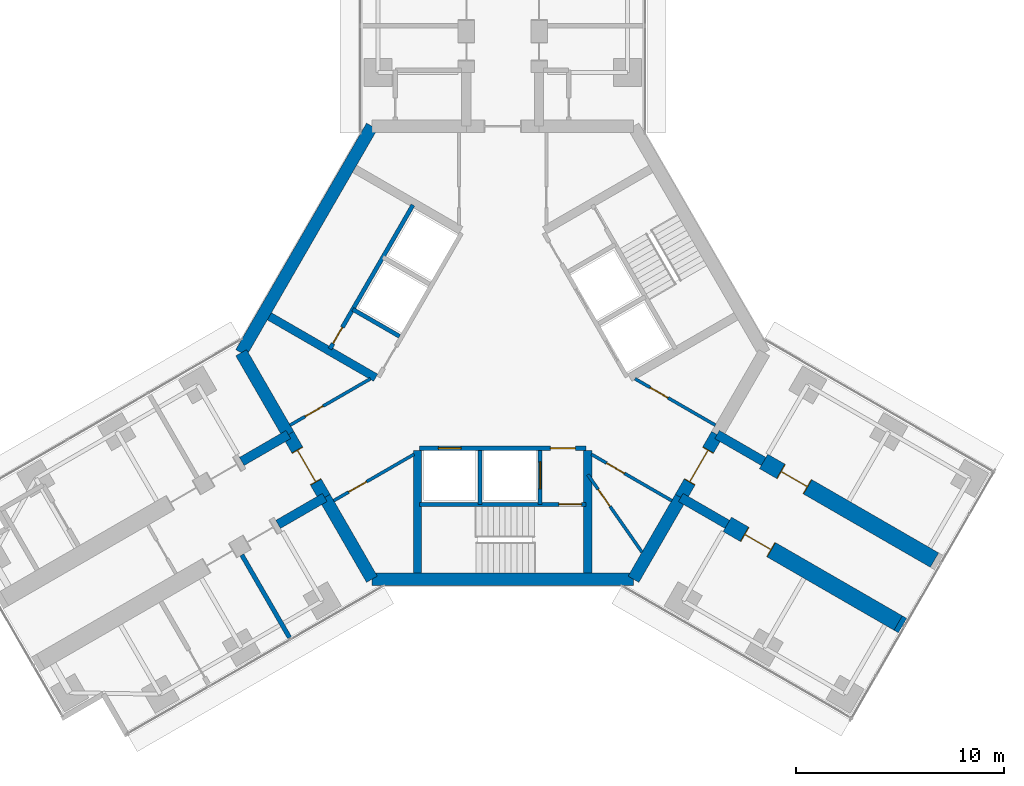
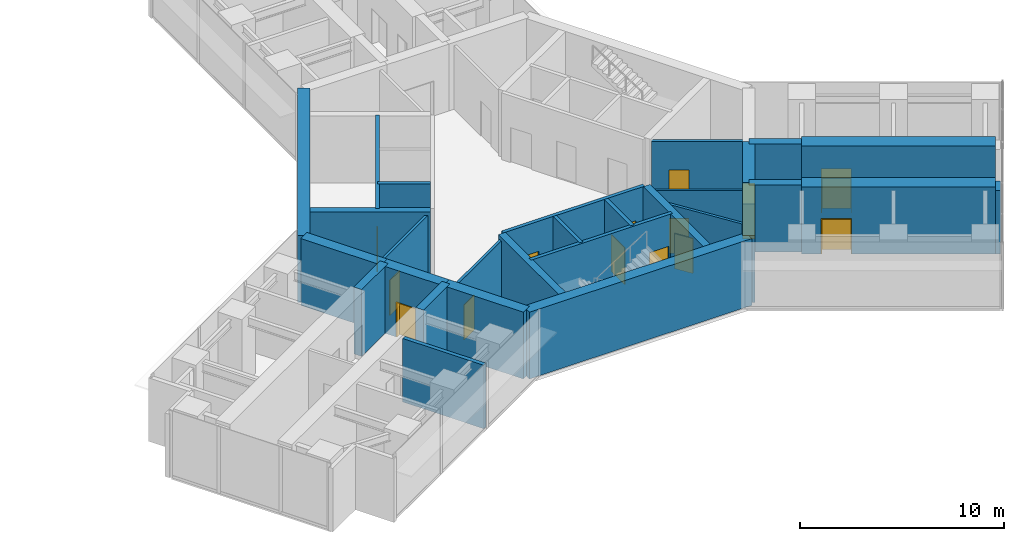
# One storey, part 18 of 21: 29 walls, 14 doors, 14 openings.
"""IFC4 building model written with IfcOpenShell, lengths in metres."""

import ifcopenshell
import ifcopenshell.guid

model = None  # the IFC model being written
_history = None  # IfcOwnerHistory: only IFC2X3 demands one
_inside = {}  # id of a spatial element -> (the spatial element, [elements in it])
_under = {}  # id of a project, library or spatial element -> (it, [spatial elements below it])
_declared = {}  # id of a project -> (the project, [libraries it declares])
_typed = {}  # id of a type object -> (the type object, [elements of that type])
_made_of = {}  # id of a material, layer set ... -> (it, [elements and type objects made of it])


def new_model(schema):
    """Start an empty IFC model of exactly this schema.

    Asked for "IFC4X3", IfcOpenShell would pick the latest addendum, in which some entities
    have other attributes; the version numbers below select the first issue.
    IFC2X3 requires an IfcOwnerHistory on every rooted entity: one is made here for all.
    """
    global model, _history
    if schema == "IFC4X3":
        model = ifcopenshell.file(schema_version=(4, 3, 0, 0))
    else:
        model = ifcopenshell.file(schema=schema)
    _inside.clear()
    _under.clear()
    _declared.clear()
    _typed.clear()
    _made_of.clear()
    _history = None
    if model.schema == "IFC2X3":
        org = make("IfcOrganization", Name="unknown")
        user = make(
            "IfcPersonAndOrganization",
            ThePerson=make("IfcPerson", FamilyName="unknown"),
            TheOrganization=org,
        )
        app = make(
            "IfcApplication",
            ApplicationDeveloper=org,
            Version="unknown",
            ApplicationFullName="unknown",
            ApplicationIdentifier="unknown",
        )
        _history = make(
            "IfcOwnerHistory",
            OwningUser=user,
            OwningApplication=app,
            ChangeAction="ADDED",
            CreationDate=0,
        )
    return model


def make(cls, **values):
    """One entity of the class cls with the attributes given. An attribute that is None is left unset."""
    return model.create_entity(
        cls, **{name: value for name, value in values.items() if value is not None}
    )


def rooted(cls, **values):
    """An entity with a GlobalId (a new one), such as an element, a storey or a relation."""
    return make(cls, GlobalId=ifcopenshell.guid.new(), OwnerHistory=_history, **values)


def si_unit(unit_type, name, prefix=None):
    """IfcSIUnit, for example si_unit("LENGTHUNIT", "METRE", prefix="MILLI")."""
    return make("IfcSIUnit", UnitType=unit_type, Prefix=prefix, Name=name)


def assignment(units):
    """IfcUnitAssignment: the units of a project."""
    return None if units is None else make("IfcUnitAssignment", Units=units)


def point(xyz):
    """IfcCartesianPoint."""
    return None if xyz is None else make("IfcCartesianPoint", Coordinates=xyz)


def direction(xyz):
    """IfcDirection."""
    return None if xyz is None else make("IfcDirection", DirectionRatios=xyz)


def frame(location, z_axis=None, x_axis=None):
    """IfcAxis2Placement3D, a coordinate frame: its origin and axes. An axis left out is left unset."""
    return make(
        "IfcAxis2Placement3D",
        Location=point(location),
        Axis=direction(z_axis),
        RefDirection=direction(x_axis),
    )


def frame_2d(location, x_axis=None):
    """IfcAxis2Placement2D, a coordinate frame in the plane: its origin and x axis."""
    return make(
        "IfcAxis2Placement2D", Location=point(location), RefDirection=direction(x_axis)
    )


def origin():
    """The frame at (0, 0, 0) with its axes left unset."""
    return frame((0.0, 0.0, 0.0))


def place(relative_to, where):
    """IfcLocalPlacement: puts the frame where relative to a parent placement (None: the world)."""
    return make(
        "IfcLocalPlacement", PlacementRelTo=relative_to, RelativePlacement=where
    )


def context(
    kind, dimensions, precision=None, world=None, true_north=None, identifier=None
):
    """IfcGeometricRepresentationContext, for example the 3D "Model" context."""
    return make(
        "IfcGeometricRepresentationContext",
        ContextIdentifier=identifier,
        ContextType=kind,
        CoordinateSpaceDimension=dimensions,
        Precision=precision,
        WorldCoordinateSystem=world,
        TrueNorth=true_north,
    )


def subcontext(parent, identifier, kind, view, scale=None):
    """IfcGeometricRepresentationSubContext, for example "Body" below "Model"."""
    return make(
        "IfcGeometricRepresentationSubContext",
        ContextIdentifier=identifier,
        ContextType=kind,
        ParentContext=parent,
        TargetScale=scale,
        TargetView=view,
    )


def project(units=None, contexts=None):
    """IfcProject with its units and contexts."""
    return rooted(
        "IfcProject",
        Name="project",
        RepresentationContexts=contexts,
        UnitsInContext=assignment(units),
    )


def spatial(cls, under=None, at=None, **own):
    """A site, building, storey or space (cls), placed at a placement, below another one or the project."""
    s = rooted(cls, ObjectPlacement=at, **own)
    if under is not None:
        _under.setdefault(under.id(), (under, []))[1].append(s)
    return s


def profile(cls, at=None, kind="AREA", **sizes):
    """A parametric profile (cls). Its sizes go by their IFC names, for example OverallWidth=200.0."""
    return make(cls, ProfileType=kind, Position=at, **sizes)


def rectangle(**sizes):
    """IfcRectangleProfileDef."""
    return profile("IfcRectangleProfileDef", **sizes)


def extrude(swept, where, along, depth):
    """IfcExtrudedAreaSolid: the profile swept, set in the frame where, extruded along a direction by depth."""
    return make(
        "IfcExtrudedAreaSolid",
        SweptArea=swept,
        Position=where,
        ExtrudedDirection=direction(along),
        Depth=depth,
    )


def shape(context_of_items, identifier, shape_type, items):
    """IfcShapeRepresentation: the items that make up one representation, for example the "Body"."""
    return make(
        "IfcShapeRepresentation",
        ContextOfItems=context_of_items,
        RepresentationIdentifier=identifier,
        RepresentationType=shape_type,
        Items=items,
    )


def material(Name=None, Category=None):
    """IfcMaterial."""
    return make("IfcMaterial", Name=Name, Category=Category)


def layer(
    of_material, thickness, ventilated=None, Name=None, Category=None, Priority=None
):
    """IfcMaterialLayer: one layer of a wall or slab, of a material (None: an air gap)."""
    return make(
        "IfcMaterialLayer",
        Material=of_material,
        LayerThickness=thickness,
        IsVentilated=ventilated,
        Name=Name,
        Category=Category,
        Priority=Priority,
    )


def layer_set(layers, Name=None):
    """IfcMaterialLayerSet."""
    return make("IfcMaterialLayerSet", MaterialLayers=layers, LayerSetName=Name)


def made_of(thing, what):
    """Note that an element or type object is made of a material, layer set ...; save() writes the relation."""
    if what is not None:
        _made_of.setdefault(what.id(), (what, []))[1].append(thing)
    return thing


def type_object(cls, material=None, **own):
    """A type object (cls), such as IfcWallType, which elements share."""
    return made_of(rooted(cls, **own), material)


def element(
    cls,
    number,
    at=None,
    inside=None,
    cuts=None,
    type_object=None,
    material=None,
    context=None,
    identifier="Body",
    shape_type=None,
    held_by="IfcProductDefinitionShape",
    body=None,
    shapes=None,
    **own,
):
    """One element of the class cls, such as IfcWall. Its Tag is "e" and its number.

    at: its placement. inside: the storey or other place that contains it. cuts: it is an
    opening in that element (IfcRelVoidsElement). A single representation is given by context,
    identifier, shape_type and body (its items); several are given by shapes. held_by: the class
    of the entity that holds the representations. save() writes the other relations.
    """
    e = rooted(cls, Tag="e%d" % number, ObjectPlacement=at, **own)
    if body is not None:
        shapes = [shape(context, identifier, shape_type, body)]
    if shapes is not None:
        e.Representation = make(held_by, Representations=shapes)
    if inside is not None:
        _inside.setdefault(inside.id(), (inside, []))[1].append(e)
    if cuts is not None:
        rooted(
            "IfcRelVoidsElement", RelatingBuildingElement=cuts, RelatedOpeningElement=e
        )
    if type_object is not None:
        _typed.setdefault(type_object.id(), (type_object, []))[1].append(e)
    return made_of(e, material)


def fill(opening, filler):
    """IfcRelFillsElement: the door or window that sits in an opening."""
    return rooted(
        "IfcRelFillsElement",
        RelatingOpeningElement=opening,
        RelatedBuildingElement=filler,
    )


def aggregate(whole, parts):
    """IfcRelAggregates: a whole, such as a stair, and the parts it consists of."""
    return rooted("IfcRelAggregates", RelatingObject=whole, RelatedObjects=parts)


def save(model, path):
    """Write the relations noted so far, then the file.

    IfcRelAggregates (storeys below a building ...), IfcRelContainedInSpatialStructure (elements
    in a storey), IfcRelDefinesByType, IfcRelAssociatesMaterial and IfcRelDeclares: one each for
    every whole, place, type object, material and project.
    """
    for whole, parts in _under.values():
        aggregate(whole, parts)
    for where, things in _inside.values():
        rooted(
            "IfcRelContainedInSpatialStructure",
            RelatedElements=things,
            RelatingStructure=where,
        )
    for kind, things in _typed.values():
        rooted("IfcRelDefinesByType", RelatedObjects=things, RelatingType=kind)
    for what, things in _made_of.values():
        rooted("IfcRelAssociatesMaterial", RelatedObjects=things, RelatingMaterial=what)
    for by, libraries in _declared.values():
        rooted("IfcRelDeclares", RelatingContext=by, RelatedDefinitions=libraries)
    model.write(path)


model = new_model("IFC4")

# Units and contexts
model_context = context("Model", 3, precision=1e-05, world=origin(), true_north=direction((0.0, 1.0)))
body_context = subcontext(model_context, "Body", "Model", "MODEL_VIEW")
ifc_project = project(units=[si_unit("LENGTHUNIT", "METRE"), si_unit("AREAUNIT", "SQUARE_METRE"), si_unit("VOLUMEUNIT", "CUBIC_METRE"), si_unit("PLANEANGLEUNIT", "RADIAN"), si_unit("MASSUNIT", "GRAM", prefix="KILO")], contexts=[model_context])

# Site, building, storey
site_placement = place(None, origin())
site = spatial("IfcSite", under=ifc_project, at=site_placement, CompositionType="ELEMENT")
building_placement = place(site_placement, origin())
building = spatial("IfcBuilding", under=site, at=building_placement, Name="Upepo Twin Towers", CompositionType="ELEMENT")
storey_placement = place(building_placement, frame((0.0, 0.0, 117.5)))
storey = spatial("IfcBuildingStorey", under=building, at=storey_placement, Name="L28", CompositionType="ELEMENT", Elevation=117.5)

# Walls
ifc_material_1 = material(Name="Concrete blockwork, plastered both faces", Category="masonry")
ifc_layer_1 = layer(ifc_material_1, 0.215087890625)
ifc_layer_set_1 = layer_set([ifc_layer_1], Name="Blockwork partition 215")
wall_type_1 = type_object("IfcWallType", Name="Blockwork partition 215", PredefinedType="PARTITIONING", material=ifc_layer_set_1)
wall_1_placement = place(storey_placement, frame((45.93505859375, -27.737060546875, 0.0), z_axis=(0.0, 0.0, 1.0), x_axis=(0.500014953309, -0.866016770315, 0.0)))
element("IfcWall", 1, at=wall_1_placement, inside=storey, type_object=wall_type_1, Name="T2 partition BL at 15.75", PredefinedType="PARTITIONING", context=body_context, shape_type="SweptSolid", body=[
    extrude(rectangle(XDim=4.599853515625, YDim=0.215087890625, at=frame_2d((2.2998046875, 0.0))), origin(), (0.0, 0.0, 1.0), 3.800048828125),
])
ifc_material_2 = material(Name="Dense concrete blockwork", Category="masonry")
ifc_layer_2 = layer(ifc_material_2, 0.800048828125)
ifc_layer_set_2 = layer_set([ifc_layer_2], Name="Buttress closer 800, blockwork with fire-stopping to the curtain wall")
wall_type_2 = type_object("IfcWallType", Name="Buttress closer 800, blockwork with fire-stopping to the curtain wall", PredefinedType="PARTITIONING", material=ifc_layer_set_2)
wall_2_placement = place(storey_placement, frame((77.543701171875, -31.015625, 0.0), z_axis=(0.0, 0.0, 1.0), x_axis=(0.865827443207, -0.500342721131, 0.0)))
element("IfcWall", 2, at=wall_2_placement, inside=storey, type_object=wall_type_2, Name="T2 L28 wing C buttress closer R", PredefinedType="PARTITIONING", context=body_context, shape_type="SweptSolid", body=[
    extrude(rectangle(XDim=0.249755859375, YDim=0.800048828125, at=frame_2d((0.125, 0.0))), origin(), (0.0, 0.0, 1.0), 3.800048828125),
])
ifc_material_3 = material(Name="Concrete C60/75", Category="concrete")
ifc_layer_3 = layer(ifc_material_3, 0.449951171875)
ifc_layer_set_3 = layer_set([ifc_layer_3], Name="Concrete C60/75")
wall_type_3 = type_object("IfcWallType", Name="Buttress wall 450 RC", PredefinedType="SHEAR", material=ifc_layer_set_3)
for number, where, z_axis, x_axis, name in (
    (3, (49.92822265625, -24.9697265625, 0.0), (0.0, 0.0, 1.0), (-0.866031863473, -0.499988811324, 0.0), "T2 wing B buttress wall L"),
    (4, (48.17822265625, -21.938720703125, 0.0), (0.0, 0.0, 1.0), (-0.866072649678, -0.499918158782, 0.0), "T2 wing B buttress wall R"),
    (5, (68.82177734375, -21.938720703125, 0.0), (0.0, 0.0, 1.0), (0.866072649678, -0.499918158782, 0.0), "T2 wing C buttress wall L"),
    (6, (67.07177734375, -24.9697265625, 0.0), (0.0, 0.0, 1.0), (0.866031863473, -0.499988811324, 0.0), "T2 wing C buttress wall R"),
):
    element("IfcWall", number, at=place(storey_placement, frame(where, z_axis=z_axis, x_axis=x_axis)), inside=storey, type_object=wall_type_3, Name=name, PredefinedType="SHEAR", context=body_context, shape_type="SweptSolid", body=[
        extrude(rectangle(XDim=2.591796875, YDim=0.449951171875, at=frame_2d((1.2958984375, 0.0))), origin(), (0.0, 0.0, 1.0), 4.0),
    ])

# Wall, opening, door
ifc_material_4 = material(Name="Concrete C60/75", Category="concrete")
ifc_layer_4 = layer(ifc_material_4, 0.800048828125)
ifc_layer_set_4 = layer_set([ifc_layer_4], Name="Concrete C60/75")
wall_type_4 = type_object("IfcWallType", Name="Buttress wall 800 RC", PredefinedType="SHEAR", material=ifc_layer_set_4)
wall_3_placement = place(storey_placement, frame((71.06640625, -23.234375, 0.0), z_axis=(0.0, 0.0, 1.0), x_axis=(0.86602681393, -0.499997557548, 0.0)))
wall_3 = element("IfcWall", 7, at=wall_3_placement, inside=storey, type_object=wall_type_4, Name="T2 wing C buttress wall L part 2", PredefinedType="SHEAR", context=body_context, shape_type="SweptSolid", body=[
    extrude(rectangle(XDim=9.5, YDim=0.800048828125, at=frame_2d((4.75, 0.0))), origin(), (0.0, 0.0, 1.0), 4.0),
])
opening_1_placement = place(wall_3_placement, frame((0.949951171875, 0.0, 0.0)))
opening_1 = element("IfcOpeningElement", 8, at=opening_1_placement, cuts=wall_3, Name="Opening D13", PredefinedType="OPENING", context=body_context, shape_type="SweptSolid", body=[
    extrude(rectangle(XDim=1.5, YDim=2.10009765625, at=frame_2d((0.75, 1.050048828125))), frame((0.0, 0.409912109375, 0.0), z_axis=(0.0, -1.0, 0.0), x_axis=(1.0, 0.0, 0.0)), (0.0, 0.0, 1.0), 0.820068359375),
])
ifc_material_5 = material(Name="Timber doorset", Category="wood")
door_type_1 = type_object("IfcDoorType", Name="Double door 1500 FD30", OperationType="DOUBLE_DOOR_SINGLE_SWING", PredefinedType="DOOR", material=ifc_material_5)
door_1_placement = place(opening_1_placement, origin())
door_1 = element("IfcDoor", 9, at=door_1_placement, inside=storey, type_object=door_type_1, Name="T2 L28 tutorial room door", OperationType="DOUBLE_DOOR_SINGLE_SWING", OverallHeight=2.10009765625, OverallWidth=1.5, PredefinedType="DOOR", context=body_context, shape_type="SweptSolid", body=[
    extrude(rectangle(XDim=1.42, YDim=2.06009765625, at=frame_2d((0.75, 1.030029296875))), frame((0.0, 0.02490234375, 0.0), z_axis=(0.0, -1.0, 0.0), x_axis=(1.0, 0.0, 0.0)), (0.0, 0.0, 1.0), 0.050048828125),
    extrude(rectangle(XDim=0.04, YDim=2.10009765625, at=frame_2d((0.02001953125, 1.050048828125))), frame((0.0, 0.39990234375, 0.0), z_axis=(0.0, -1.0, 0.0), x_axis=(1.0, 0.0, 0.0)), (0.0, 0.0, 1.0), 0.799560546875),
    extrude(rectangle(XDim=0.04, YDim=2.10009765625, at=frame_2d((1.47998046875, 1.050048828125))), frame((0.0, 0.39990234375, 0.0), z_axis=(0.0, -1.0, 0.0), x_axis=(1.0, 0.0, 0.0)), (0.0, 0.0, 1.0), 0.799560546875),
    extrude(rectangle(XDim=1.42, YDim=0.04, at=frame_2d((0.75, 2.080078125))), frame((0.0, 0.39990234375, 0.0), z_axis=(0.0, -1.0, 0.0), x_axis=(1.0, 0.0, 0.0)), (0.0, 0.0, 1.0), 0.799560546875),
])
fill(opening_1, door_1)

wall_4_placement = place(storey_placement, frame((69.31640625, -26.265625, 0.0), z_axis=(0.0, 0.0, 1.0), x_axis=(0.86602681393, -0.499997557548, 0.0)))
wall_4 = element("IfcWall", 10, at=wall_4_placement, inside=storey, type_object=wall_type_4, Name="T2 wing C buttress wall R part 2", PredefinedType="SHEAR", context=body_context, shape_type="SweptSolid", body=[
    extrude(rectangle(XDim=9.5, YDim=0.800048828125, at=frame_2d((4.75, 0.0))), origin(), (0.0, 0.0, 1.0), 4.0),
])
opening_2_placement = place(wall_4_placement, frame((0.949951171875, 0.0, 0.0)))
opening_2 = element("IfcOpeningElement", 11, at=opening_2_placement, cuts=wall_4, Name="Opening D13", PredefinedType="OPENING", context=body_context, shape_type="SweptSolid", body=[
    extrude(rectangle(XDim=1.5, YDim=2.10009765625, at=frame_2d((0.75, 1.050048828125))), frame((0.0, 0.409912109375, 0.0), z_axis=(0.0, -1.0, 0.0), x_axis=(1.0, 0.0, 0.0)), (0.0, 0.0, 1.0), 0.820068359375),
])
door_2_placement = place(opening_2_placement, origin())
door_2 = element("IfcDoor", 12, at=door_2_placement, inside=storey, type_object=door_type_1, Name="T2 L28 tutorial room door", OperationType="DOUBLE_DOOR_SINGLE_SWING", OverallHeight=2.10009765625, OverallWidth=1.5, PredefinedType="DOOR", context=body_context, shape_type="SweptSolid", body=[
    extrude(rectangle(XDim=1.42, YDim=2.06009765625, at=frame_2d((0.75, 1.030029296875))), frame((0.0, 0.02490234375, 0.0), z_axis=(0.0, -1.0, 0.0), x_axis=(1.0, 0.0, 0.0)), (0.0, 0.0, 1.0), 0.050048828125),
    extrude(rectangle(XDim=0.04, YDim=2.10009765625, at=frame_2d((0.02001953125, 1.050048828125))), frame((0.0, 0.39990234375, 0.0), z_axis=(0.0, -1.0, 0.0), x_axis=(1.0, 0.0, 0.0)), (0.0, 0.0, 1.0), 0.799560546875),
    extrude(rectangle(XDim=0.04, YDim=2.10009765625, at=frame_2d((1.47998046875, 1.050048828125))), frame((0.0, 0.39990234375, 0.0), z_axis=(0.0, -1.0, 0.0), x_axis=(1.0, 0.0, 0.0)), (0.0, 0.0, 1.0), 0.799560546875),
    extrude(rectangle(XDim=1.42, YDim=0.04, at=frame_2d((0.75, 2.080078125))), frame((0.0, 0.39990234375, 0.0), z_axis=(0.0, -1.0, 0.0), x_axis=(1.0, 0.0, 0.0)), (0.0, 0.0, 1.0), 0.799560546875),
])
fill(opening_2, door_2)

# Walls
ifc_material_6 = material(Name="Concrete C60/75", Category="concrete")
ifc_layer_5 = layer(ifc_material_6, 0.60009765625)
ifc_layer_set_5 = layer_set([ifc_layer_5], Name="Concrete C60/75")
wall_type_5 = type_object("IfcWallType", Name="Core wall 600 RC", PredefinedType="SHEAR", material=ifc_layer_set_5)
wall_5_placement = place(storey_placement, frame((52.2021484375, -7.091552734375, 0.0), z_axis=(0.0, 0.0, 1.0), x_axis=(-0.500005998175, -0.866021940709, 0.0)))
element("IfcWall", 13, at=wall_5_placement, inside=storey, type_object=wall_type_5, Name="T2 core wall 060", PredefinedType="SHEAR", context=body_context, shape_type="SweptSolid", body=[
    extrude(rectangle(XDim=12.595947265625, YDim=0.60009765625, at=frame_2d((6.2978515625, 0.0))), origin(), (0.0, 0.0, 1.0), 4.0),
])
wall_6_placement = place(storey_placement, frame((45.904052734375, -18.0, 0.0), z_axis=(0.0, 0.0, 1.0), x_axis=(0.500024481964, -0.866011268655, 0.0)))
element("IfcWall", 14, at=wall_6_placement, inside=storey, type_object=wall_type_5, Name="T2 core wall 120 R", PredefinedType="SHEAR", context=body_context, shape_type="SweptSolid", body=[
    extrude(rectangle(XDim=4.548095703125, YDim=0.60009765625, at=frame_2d((2.27392578125, 0.0))), origin(), (0.0, 0.0, 1.0), 4.0),
])

# Wall, opening, door
wall_7_placement = place(storey_placement, frame((48.17822265625, -21.938720703125, 0.0), z_axis=(0.0, 0.0, 1.0), x_axis=(0.500010275428, -0.866019471182, 0.0)))
wall_7 = element("IfcWall", 15, at=wall_7_placement, inside=storey, type_object=wall_type_5, Name="T2 core wall 120", PredefinedType="SHEAR", context=body_context, shape_type="SweptSolid", body=[
    extrude(rectangle(XDim=3.5, YDim=0.60009765625, at=frame_2d((1.75, 0.0))), origin(), (0.0, 0.0, 1.0), 4.0),
])
opening_3_placement = place(wall_7_placement, frame((0.85009765625, 0.0, 0.0)))
opening_3 = element("IfcOpeningElement", 16, at=opening_3_placement, cuts=wall_7, Name="Opening D2", PredefinedType="OPENING", context=body_context, shape_type="SweptSolid", body=[
    extrude(rectangle(XDim=1.800048828125, YDim=2.10009765625, at=frame_2d((0.89990234375, 1.050048828125))), frame((0.0, 0.31005859375, 0.0), z_axis=(0.0, -1.0, 0.0), x_axis=(1.0, 0.0, 0.0)), (0.0, 0.0, 1.0), 0.6201171875),
])
ifc_material_7 = material(Name="Timber doorset", Category="wood")
door_type_2 = type_object("IfcDoorType", Name="Corridor double door 1800 FD60", OperationType="DOUBLE_DOOR_DOUBLE_SWING", PredefinedType="DOOR", material=ifc_material_7)
door_3_placement = place(opening_3_placement, origin())
door_3 = element("IfcDoor", 17, at=door_3_placement, inside=storey, type_object=door_type_2, Name="T2 L28 wing B corridor door", OperationType="DOUBLE_DOOR_DOUBLE_SWING", OverallHeight=2.10009765625, OverallWidth=1.800048828125, PredefinedType="DOOR", context=body_context, shape_type="SweptSolid", body=[
    extrude(rectangle(XDim=1.720048828125, YDim=2.06009765625, at=frame_2d((0.89990234375, 1.030029296875))), frame((0.0, 0.02490234375, 0.0), z_axis=(0.0, -1.0, 0.0), x_axis=(1.0, 0.0, 0.0)), (0.0, 0.0, 1.0), 0.050048828125),
    extrude(rectangle(XDim=0.04, YDim=2.10009765625, at=frame_2d((0.02001953125, 1.050048828125))), frame((0.0, 0.2998046875, 0.0), z_axis=(0.0, -1.0, 0.0), x_axis=(1.0, 0.0, 0.0)), (0.0, 0.0, 1.0), 0.599609375),
    extrude(rectangle(XDim=0.04, YDim=2.10009765625, at=frame_2d((1.780029296875, 1.050048828125))), frame((0.0, 0.2998046875, 0.0), z_axis=(0.0, -1.0, 0.0), x_axis=(1.0, 0.0, 0.0)), (0.0, 0.0, 1.0), 0.599609375),
    extrude(rectangle(XDim=1.720048828125, YDim=0.04, at=frame_2d((0.89990234375, 2.080078125))), frame((0.0, 0.2998046875, 0.0), z_axis=(0.0, -1.0, 0.0), x_axis=(1.0, 0.0, 0.0)), (0.0, 0.0, 1.0), 0.599609375),
])
fill(opening_3, door_3)

# Walls
wall_8_placement = place(storey_placement, frame((49.92822265625, -24.9697265625, 0.0), z_axis=(0.0, 0.0, 1.0), x_axis=(0.499984222037, -0.866034513004, 0.0)))
element("IfcWall", 18, at=wall_8_placement, inside=storey, type_object=wall_type_5, Name="T2 core wall 120 L", PredefinedType="SHEAR", context=body_context, shape_type="SweptSolid", body=[
    extrude(rectangle(XDim=4.548095703125, YDim=0.60009765625, at=frame_2d((2.27392578125, 0.0))), origin(), (0.0, 0.0, 1.0), 4.0),
])
wall_9_placement = place(storey_placement, frame((52.2021484375, -28.908447265625, 0.0), z_axis=(0.0, 0.0, 1.0), x_axis=(1.0, 0.0, 0.0)))
element("IfcWall", 19, at=wall_9_placement, inside=storey, type_object=wall_type_5, Name="T2 core wall 180", PredefinedType="SHEAR", context=body_context, shape_type="SweptSolid", body=[
    extrude(rectangle(XDim=12.595703125, YDim=0.60009765625, at=frame_2d((6.2978515625, 0.0))), origin(), (0.0, 0.0, 1.0), 4.0),
])
wall_10_placement = place(storey_placement, frame((64.7978515625, -28.908447265625, 0.0), z_axis=(0.0, 0.0, 1.0), x_axis=(0.499984222037, 0.866034513004, 0.0)))
element("IfcWall", 20, at=wall_10_placement, inside=storey, type_object=wall_type_5, Name="T2 core wall 240 R", PredefinedType="SHEAR", context=body_context, shape_type="SweptSolid", body=[
    extrude(rectangle(XDim=4.548095703125, YDim=0.60009765625, at=frame_2d((2.27392578125, 0.0))), origin(), (0.0, 0.0, 1.0), 4.0),
])

# Wall, opening, door
wall_11_placement = place(storey_placement, frame((67.07177734375, -24.9697265625, 0.0), z_axis=(0.0, 0.0, 1.0), x_axis=(0.500010275428, 0.866019471182, 0.0)))
wall_11 = element("IfcWall", 21, at=wall_11_placement, inside=storey, type_object=wall_type_5, Name="T2 core wall 240", PredefinedType="SHEAR", context=body_context, shape_type="SweptSolid", body=[
    extrude(rectangle(XDim=3.5, YDim=0.60009765625, at=frame_2d((1.75, 0.0))), origin(), (0.0, 0.0, 1.0), 4.0),
])
opening_4_placement = place(wall_11_placement, frame((0.85009765625, 0.0, 0.0)))
opening_4 = element("IfcOpeningElement", 22, at=opening_4_placement, cuts=wall_11, Name="Opening D2", PredefinedType="OPENING", context=body_context, shape_type="SweptSolid", body=[
    extrude(rectangle(XDim=1.800048828125, YDim=2.10009765625, at=frame_2d((0.89990234375, 1.050048828125))), frame((0.0, 0.31005859375, 0.0), z_axis=(0.0, -1.0, 0.0), x_axis=(1.0, 0.0, 0.0)), (0.0, 0.0, 1.0), 0.6201171875),
])
door_4_placement = place(opening_4_placement, origin())
door_4 = element("IfcDoor", 23, at=door_4_placement, inside=storey, type_object=door_type_2, Name="T2 L28 wing C corridor door", OperationType="DOUBLE_DOOR_DOUBLE_SWING", OverallHeight=2.10009765625, OverallWidth=1.800048828125, PredefinedType="DOOR", context=body_context, shape_type="SweptSolid", body=[
    extrude(rectangle(XDim=1.720048828125, YDim=2.06009765625, at=frame_2d((0.89990234375, 1.030029296875))), frame((0.0, 0.02490234375, 0.0), z_axis=(0.0, -1.0, 0.0), x_axis=(1.0, 0.0, 0.0)), (0.0, 0.0, 1.0), 0.050048828125),
    extrude(rectangle(XDim=0.04, YDim=2.10009765625, at=frame_2d((0.02001953125, 1.050048828125))), frame((0.0, 0.2998046875, 0.0), z_axis=(0.0, -1.0, 0.0), x_axis=(1.0, 0.0, 0.0)), (0.0, 0.0, 1.0), 0.599609375),
    extrude(rectangle(XDim=0.04, YDim=2.10009765625, at=frame_2d((1.780029296875, 1.050048828125))), frame((0.0, 0.2998046875, 0.0), z_axis=(0.0, -1.0, 0.0), x_axis=(1.0, 0.0, 0.0)), (0.0, 0.0, 1.0), 0.599609375),
    extrude(rectangle(XDim=1.720048828125, YDim=0.04, at=frame_2d((0.89990234375, 2.080078125))), frame((0.0, 0.2998046875, 0.0), z_axis=(0.0, -1.0, 0.0), x_axis=(1.0, 0.0, 0.0)), (0.0, 0.0, 1.0), 0.599609375),
])
fill(opening_4, door_4)

# Wall
ifc_material_8 = material(Name="Concrete C40/50", Category="concrete")
ifc_layer_6 = layer(ifc_material_8, 0.199951171875)
ifc_layer_set_6 = layer_set([ifc_layer_6], Name="Concrete C40/50")
wall_type_6 = type_object("IfcWallType", Name="Shaft wall 200 RC", PredefinedType="SHEAR", material=ifc_layer_set_6)
wall_12_placement = place(storey_placement, frame((53.52978515625, -17.208740234375, 0.0), z_axis=(0.0, 0.0, 1.0), x_axis=(-0.866062058628, 0.499936506574, 0.0)))
element("IfcWall", 24, at=wall_12_placement, inside=storey, type_object=wall_type_6, Name="T2 core W60 lobby wall", PredefinedType="SHEAR", context=body_context, shape_type="SweptSolid", body=[
    extrude(rectangle(XDim=2.599853515625, YDim=0.199951171875, at=frame_2d((1.2998046875, 0.0))), origin(), (0.0, 0.0, 1.0), 4.0),
])

# Wall, opening, door
wall_13_placement = place(storey_placement, frame((54.177978515625, -10.885986328125, 0.0), z_axis=(0.0, 0.0, 1.0), x_axis=(-0.49999894854, -0.866026010844, 0.0)))
wall_13 = element("IfcWall", 25, at=wall_13_placement, inside=storey, type_object=wall_type_6, Name="T2 core W60 stair wall", PredefinedType="SHEAR", context=body_context, shape_type="SweptSolid", body=[
    extrude(rectangle(XDim=8.0, YDim=0.199951171875, at=frame_2d((4.0, 0.0))), origin(), (0.0, 0.0, 1.0), 4.0),
])
opening_5_placement = place(wall_13_placement, frame((6.800048828125, 0.0, 0.0)))
opening_5 = element("IfcOpeningElement", 26, at=opening_5_placement, cuts=wall_13, Name="Opening D9", PredefinedType="OPENING", context=body_context, shape_type="SweptSolid", body=[
    extrude(rectangle(XDim=0.89990234375, YDim=2.10009765625, at=frame_2d((0.449951171875, 1.050048828125))), frame((0.0, 0.10986328125, 0.0), z_axis=(0.0, -1.0, 0.0), x_axis=(1.0, 0.0, 0.0)), (0.0, 0.0, 1.0), 0.219970703125),
])
ifc_material_9 = material(Name="Timber doorset", Category="wood")
door_type_3 = type_object("IfcDoorType", Name="Riser door 900 FD60", OperationType="SINGLE_SWING_LEFT", PredefinedType="DOOR", material=ifc_material_9)
door_5_placement = place(opening_5_placement, origin())
door_5 = element("IfcDoor", 27, at=door_5_placement, inside=storey, type_object=door_type_3, Name="T2 L28 riser door", OperationType="SINGLE_SWING_RIGHT", OverallHeight=2.10009765625, OverallWidth=0.89990234375, PredefinedType="DOOR", context=body_context, shape_type="SweptSolid", body=[
    extrude(rectangle(XDim=0.89990234375, YDim=2.10009765625, at=frame_2d((0.449951171875, 1.050048828125))), frame((0.0, 0.02490234375, 0.0), z_axis=(0.0, -1.0, 0.0), x_axis=(1.0, 0.0, 0.0)), (0.0, 0.0, 1.0), 0.050048828125),
])
fill(opening_5, door_5)

# Wall, openings, doors
wall_14_placement = place(storey_placement, frame((54.5, -22.60009765625, 0.0), z_axis=(0.0, 0.0, 1.0), x_axis=(1.0, 0.0, 0.0)))
wall_14 = element("IfcWall", 28, at=wall_14_placement, inside=storey, type_object=wall_type_6, Name="T2 core W180 front wall", PredefinedType="SHEAR", context=body_context, shape_type="SweptSolid", body=[
    extrude(rectangle(XDim=8.0, YDim=0.199951171875, at=frame_2d((4.0, 0.0))), origin(), (0.0, 0.0, 1.0), 4.0),
])
opening_6_placement = place(wall_14_placement, frame((6.300048828125, 0.0, 0.0)))
opening_6 = element("IfcOpeningElement", 29, at=opening_6_placement, cuts=wall_14, Name="Opening D4", PredefinedType="OPENING", context=body_context, shape_type="SweptSolid", body=[
    extrude(rectangle(XDim=1.199951171875, YDim=2.10009765625, at=frame_2d((0.60009765625, 1.050048828125))), frame((0.0, 0.10986328125, 0.0), z_axis=(0.0, -1.0, 0.0), x_axis=(1.0, 0.0, 0.0)), (0.0, 0.0, 1.0), 0.219970703125),
])
opening_7_placement = place(wall_14_placement, frame((0.89990234375, 0.0, 0.0)))
opening_7 = element("IfcOpeningElement", 30, at=opening_7_placement, cuts=wall_14, Name="Opening LD1", PredefinedType="OPENING", context=body_context, shape_type="SweptSolid", body=[
    extrude(rectangle(XDim=1.10009765625, YDim=2.199951171875, at=frame_2d((0.550048828125, 1.10009765625))), frame((0.0, 0.10986328125, 0.0), z_axis=(0.0, -1.0, 0.0), x_axis=(1.0, 0.0, 0.0)), (0.0, 0.0, 1.0), 0.219970703125),
])
ifc_material_10 = material(Name="Steel doorset", Category="steel")
door_type_4 = type_object("IfcDoorType", Name="Lift landing door 1100", OperationType="DOUBLE_DOOR_SLIDING", PredefinedType="DOOR", material=ifc_material_10)
door_6_placement = place(opening_7_placement, origin())
door_6 = element("IfcDoor", 31, at=door_6_placement, inside=storey, type_object=door_type_4, Name="T2 L28 lift SV1 landing door", OperationType="DOUBLE_DOOR_SLIDING", OverallHeight=2.199951171875, OverallWidth=1.10009765625, PredefinedType="DOOR", context=body_context, shape_type="SweptSolid", body=[
    extrude(rectangle(XDim=1.10009765625, YDim=2.199951171875, at=frame_2d((0.550048828125, 1.10009765625))), frame((0.0, 0.02490234375, 0.0), z_axis=(0.0, -1.0, 0.0), x_axis=(1.0, 0.0, 0.0)), (0.0, 0.0, 1.0), 0.050048828125),
])
fill(opening_7, door_6)
ifc_material_11 = material(Name="Timber doorset", Category="wood")
door_type_5 = type_object("IfcDoorType", Name="Lobby door 1200 FD60", OperationType="SINGLE_SWING_LEFT", PredefinedType="DOOR", material=ifc_material_11)
door_7_placement = place(opening_6_placement, origin())
door_7 = element("IfcDoor", 32, at=door_7_placement, inside=storey, type_object=door_type_5, Name="T2 L28 W180 lobby door", OperationType="SINGLE_SWING_RIGHT", OverallHeight=2.10009765625, OverallWidth=1.199951171875, PredefinedType="DOOR", context=body_context, shape_type="SweptSolid", body=[
    extrude(rectangle(XDim=1.199951171875, YDim=2.10009765625, at=frame_2d((0.60009765625, 1.050048828125))), frame((0.0, 0.02490234375, 0.0), z_axis=(0.0, -1.0, 0.0), x_axis=(1.0, 0.0, 0.0)), (0.0, 0.0, 1.0), 0.050048828125),
])
fill(opening_6, door_7)

# Wall
wall_15_placement = place(storey_placement, frame((57.39990234375, -22.699951171875, 0.0), z_axis=(0.0, 0.0, 1.0), x_axis=(0.0, -1.0, 0.0)))
element("IfcWall", 33, at=wall_15_placement, inside=storey, type_object=wall_type_6, Name="T2 core W180 shaft divider", PredefinedType="SHEAR", context=body_context, shape_type="SweptSolid", body=[
    extrude(rectangle(XDim=2.60009765625, YDim=0.199951171875, at=frame_2d((1.300048828125, 0.0))), origin(), (0.0, 0.0, 1.0), 4.0),
])

# Wall, opening, door
wall_16_placement = place(storey_placement, frame((60.300048828125, -22.699951171875, 0.0), z_axis=(0.0, 0.0, 1.0), x_axis=(0.0, -1.0, 0.0)))
wall_16 = element("IfcWall", 34, at=wall_16_placement, inside=storey, type_object=wall_type_6, Name="T2 core W180 lobby wall", PredefinedType="SHEAR", context=body_context, shape_type="SweptSolid", body=[
    extrude(rectangle(XDim=2.60009765625, YDim=0.199951171875, at=frame_2d((1.300048828125, 0.0))), origin(), (0.0, 0.0, 1.0), 4.0),
])
opening_8_placement = place(wall_16_placement, frame((0.550048828125, 0.0, 0.0)))
opening_8 = element("IfcOpeningElement", 35, at=opening_8_placement, cuts=wall_16, Name="Opening LD2", PredefinedType="OPENING", context=body_context, shape_type="SweptSolid", body=[
    extrude(rectangle(XDim=1.300048828125, YDim=2.199951171875, at=frame_2d((0.64990234375, 1.10009765625))), frame((0.0, 0.10986328125, 0.0), z_axis=(0.0, -1.0, 0.0), x_axis=(1.0, 0.0, 0.0)), (0.0, 0.0, 1.0), 0.219970703125),
])
ifc_material_12 = material(Name="Steel doorset", Category="steel")
door_type_6 = type_object("IfcDoorType", Name="Firefighting lift landing door 1300", OperationType="DOUBLE_DOOR_SLIDING", PredefinedType="DOOR", material=ifc_material_12)
door_8_placement = place(opening_8_placement, origin())
door_8 = element("IfcDoor", 36, at=door_8_placement, inside=storey, type_object=door_type_6, Name="T2 L28 firefighting lift landing door", OperationType="DOUBLE_DOOR_SLIDING", OverallHeight=2.199951171875, OverallWidth=1.300048828125, PredefinedType="DOOR", context=body_context, shape_type="SweptSolid", body=[
    extrude(rectangle(XDim=1.300048828125, YDim=2.199951171875, at=frame_2d((0.64990234375, 1.10009765625))), frame((0.0, 0.02490234375, 0.0), z_axis=(0.0, -1.0, 0.0), x_axis=(1.0, 0.0, 0.0)), (0.0, 0.0, 1.0), 0.050048828125),
])
fill(opening_8, door_8)

wall_17_placement = place(storey_placement, frame((54.5, -25.300048828125, 0.0), z_axis=(0.0, 0.0, 1.0), x_axis=(1.0, 0.0, 0.0)))
wall_17 = element("IfcWall", 37, at=wall_17_placement, inside=storey, type_object=wall_type_6, Name="T2 core W180 stair wall", PredefinedType="SHEAR", context=body_context, shape_type="SweptSolid", body=[
    extrude(rectangle(XDim=8.0, YDim=0.199951171875, at=frame_2d((4.0, 0.0))), origin(), (0.0, 0.0, 1.0), 4.0),
])
opening_9_placement = place(wall_17_placement, frame((6.699951171875, 0.0, 0.0)))
opening_9 = element("IfcOpeningElement", 38, at=opening_9_placement, cuts=wall_17, Name="Opening D3", PredefinedType="OPENING", context=body_context, shape_type="SweptSolid", body=[
    extrude(rectangle(XDim=1.10009765625, YDim=2.10009765625, at=frame_2d((0.550048828125, 1.050048828125))), frame((0.0, 0.10986328125, 0.0), z_axis=(0.0, -1.0, 0.0), x_axis=(1.0, 0.0, 0.0)), (0.0, 0.0, 1.0), 0.219970703125),
])
ifc_material_13 = material(Name="Timber doorset", Category="wood")
door_type_7 = type_object("IfcDoorType", Name="Stair door 1100 FD60", OperationType="SINGLE_SWING_LEFT", PredefinedType="DOOR", material=ifc_material_13)
door_9_placement = place(opening_9_placement, origin())
door_9 = element("IfcDoor", 39, at=door_9_placement, inside=storey, type_object=door_type_7, Name="T2 L28 stair door", OperationType="SINGLE_SWING_RIGHT", OverallHeight=2.10009765625, OverallWidth=1.10009765625, PredefinedType="DOOR", context=body_context, shape_type="SweptSolid", body=[
    extrude(rectangle(XDim=1.10009765625, YDim=2.10009765625, at=frame_2d((0.550048828125, 1.050048828125))), frame((0.0, 0.02490234375, 0.0), z_axis=(0.0, -1.0, 0.0), x_axis=(1.0, 0.0, 0.0)), (0.0, 0.0, 1.0), 0.050048828125),
])
fill(opening_9, door_9)

# Walls
ifc_material_14 = material(Name="Concrete C40/50", Category="concrete")
ifc_layer_7 = layer(ifc_material_14, 0.39990234375)
ifc_layer_set_7 = layer_set([ifc_layer_7], Name="Concrete C40/50")
wall_type_7 = type_object("IfcWallType", Name="Shaft wall 400 RC", PredefinedType="SHEAR", material=ifc_layer_set_7)
wall_18_placement = place(storey_placement, frame((52.379638671875, -19.20068359375, 0.0), z_axis=(0.0, 0.0, 1.0), x_axis=(-0.866027317282, 0.49999668571, 0.0)))
element("IfcWall", 40, at=wall_18_placement, inside=storey, type_object=wall_type_7, Name="T2 core W60 side wall N", PredefinedType="SHEAR", context=body_context, shape_type="SweptSolid", body=[
    extrude(rectangle(XDim=5.908203125, YDim=0.39990234375, at=frame_2d((2.9541015625, 0.0))), origin(), (0.0, 0.0, 1.0), 4.0),
])
for number, where, z_axis, x_axis, name in (
    (41, (62.60009765625, -22.699951171875, 0.0), (0.0, 0.0, 1.0), (0.0, -1.0, 0.0), "T2 core W180 side wall N"),
    (42, (54.39990234375, -22.699951171875, 0.0), (0.0, 0.0, 1.0), (0.0, -1.0, 0.0), "T2 core W180 side wall S"),
):
    element("IfcWall", number, at=place(storey_placement, frame(where, z_axis=z_axis, x_axis=x_axis)), inside=storey, type_object=wall_type_7, Name=name, PredefinedType="SHEAR", context=body_context, shape_type="SweptSolid", body=[
        extrude(rectangle(XDim=5.908447265625, YDim=0.39990234375, at=frame_2d((2.9541015625, 0.0))), origin(), (0.0, 0.0, 1.0), 4.0),
    ])

# Wall, opening, door
ifc_material_15 = material(Name="Gypsum board on steel studs", Category="steel")
ifc_layer_8 = layer(ifc_material_15, 0.14990234375)
ifc_layer_set_8 = layer_set([ifc_layer_8], Name="Teaching partition 150 acoustic")
wall_type_8 = type_object("IfcWallType", Name="Teaching partition 150 acoustic", PredefinedType="PARTITIONING", material=ifc_layer_set_8)
wall_19_placement = place(storey_placement, frame((48.25439453125, -21.490478515625, 0.0), z_axis=(0.0, 0.0, 1.0), x_axis=(0.866025707867, 0.499999473313, 0.0)))
wall_19 = element("IfcWall", 43, at=wall_19_placement, inside=storey, type_object=wall_type_8, Name="T2 core room partition 1", PredefinedType="PARTITIONING", context=body_context, shape_type="SweptSolid", body=[
    extrude(rectangle(XDim=4.4755859375, YDim=0.14990234375, at=frame_2d((2.23779296875, 0.0))), origin(), (0.0, 0.0, 1.0), 3.800048828125),
])
opening_10_placement = place(wall_19_placement, frame((0.8427734375, 0.0, 0.0)))
opening_10 = element("IfcOpeningElement", 44, at=opening_10_placement, cuts=wall_19, Name="Opening D1", PredefinedType="OPENING", context=body_context, shape_type="SweptSolid", body=[
    extrude(rectangle(XDim=1.0, YDim=2.10009765625, at=frame_2d((0.5, 1.050048828125))), frame((0.0, 0.0849609375, 0.0), z_axis=(0.0, -1.0, 0.0), x_axis=(1.0, 0.0, 0.0)), (0.0, 0.0, 1.0), 0.169921875),
])
ifc_material_16 = material(Name="Timber doorset", Category="wood")
door_type_8 = type_object("IfcDoorType", Name="Room door 1000 FD30", OperationType="SINGLE_SWING_LEFT", PredefinedType="DOOR", material=ifc_material_16)
door_10_placement = place(opening_10_placement, origin())
door_10 = element("IfcDoor", 45, at=door_10_placement, inside=storey, type_object=door_type_8, Name="T2 L28 core room door K1", OperationType="SINGLE_SWING_LEFT", OverallHeight=2.10009765625, OverallWidth=1.0, PredefinedType="DOOR", context=body_context, shape_type="SweptSolid", body=[
    extrude(rectangle(XDim=1.0, YDim=2.10009765625, at=frame_2d((0.5, 1.050048828125))), frame((0.0, 0.02490234375, 0.0), z_axis=(0.0, -1.0, 0.0), x_axis=(1.0, 0.0, 0.0)), (0.0, 0.0, 1.0), 0.050048828125),
])
fill(opening_10, door_10)

wall_20_placement = place(storey_placement, frame((64.86962890625, -19.252685546875, 0.0), z_axis=(0.0, 0.0, 1.0), x_axis=(0.866025707867, -0.499999473313, 0.0)))
wall_20 = element("IfcWall", 46, at=wall_20_placement, inside=storey, type_object=wall_type_8, Name="T2 core room partition 4", PredefinedType="PARTITIONING", context=body_context, shape_type="SweptSolid", body=[
    extrude(rectangle(XDim=4.4755859375, YDim=0.14990234375, at=frame_2d((2.23779296875, 0.0))), origin(), (0.0, 0.0, 1.0), 3.800048828125),
])
opening_11_placement = place(wall_20_placement, frame((0.8427734375, 0.0, 0.0)))
opening_11 = element("IfcOpeningElement", 47, at=opening_11_placement, cuts=wall_20, Name="Opening D1", PredefinedType="OPENING", context=body_context, shape_type="SweptSolid", body=[
    extrude(rectangle(XDim=1.0, YDim=2.10009765625, at=frame_2d((0.5, 1.050048828125))), frame((0.0, 0.0849609375, 0.0), z_axis=(0.0, -1.0, 0.0), x_axis=(1.0, 0.0, 0.0)), (0.0, 0.0, 1.0), 0.169921875),
])
door_11_placement = place(opening_11_placement, origin())
door_11 = element("IfcDoor", 48, at=door_11_placement, inside=storey, type_object=door_type_8, Name="T2 L28 core room door K5", OperationType="SINGLE_SWING_LEFT", OverallHeight=2.10009765625, OverallWidth=1.0, PredefinedType="DOOR", context=body_context, shape_type="SweptSolid", body=[
    extrude(rectangle(XDim=1.0, YDim=2.10009765625, at=frame_2d((0.5, 1.050048828125))), frame((0.0, 0.02490234375, 0.0), z_axis=(0.0, -1.0, 0.0), x_axis=(1.0, 0.0, 0.0)), (0.0, 0.0, 1.0), 0.050048828125),
])
fill(opening_11, door_11)

wall_21_placement = place(storey_placement, frame((66.645751953125, -25.127685546875, 0.0), z_axis=(0.0, 0.0, 1.0), x_axis=(-0.866025707867, 0.499999473313, 0.0)))
wall_21 = element("IfcWall", 49, at=wall_21_placement, inside=storey, type_object=wall_type_8, Name="T2 core room partition 5", PredefinedType="PARTITIONING", context=body_context, shape_type="SweptSolid", body=[
    extrude(rectangle(XDim=4.4755859375, YDim=0.14990234375, at=frame_2d((2.23779296875, 0.0))), origin(), (0.0, 0.0, 1.0), 3.800048828125),
])
opening_12_placement = place(wall_21_placement, frame((2.633056640625, 0.0, 0.0)))
opening_12 = element("IfcOpeningElement", 50, at=opening_12_placement, cuts=wall_21, Name="Opening D1", PredefinedType="OPENING", context=body_context, shape_type="SweptSolid", body=[
    extrude(rectangle(XDim=1.0, YDim=2.10009765625, at=frame_2d((0.5, 1.050048828125))), frame((0.0, 0.0849609375, 0.0), z_axis=(0.0, -1.0, 0.0), x_axis=(1.0, 0.0, 0.0)), (0.0, 0.0, 1.0), 0.169921875),
])
door_12_placement = place(opening_12_placement, origin())
door_12 = element("IfcDoor", 51, at=door_12_placement, inside=storey, type_object=door_type_8, Name="T2 L28 core room door K4", OperationType="SINGLE_SWING_RIGHT", OverallHeight=2.10009765625, OverallWidth=1.0, PredefinedType="DOOR", context=body_context, shape_type="SweptSolid", body=[
    extrude(rectangle(XDim=1.0, YDim=2.10009765625, at=frame_2d((0.5, 1.050048828125))), frame((0.0, 0.02490234375, 0.0), z_axis=(0.0, -1.0, 0.0), x_axis=(1.0, 0.0, 0.0)), (0.0, 0.0, 1.0), 0.050048828125),
])
fill(opening_12, door_12)

wall_22_placement = place(storey_placement, frame((54.230224609375, -22.889892578125, 0.0), z_axis=(0.0, 0.0, 1.0), x_axis=(-0.866025707867, -0.499999473313, 0.0)))
wall_22 = element("IfcWall", 52, at=wall_22_placement, inside=storey, type_object=wall_type_8, Name="T2 core room partition 6", PredefinedType="PARTITIONING", context=body_context, shape_type="SweptSolid", body=[
    extrude(rectangle(XDim=4.4755859375, YDim=0.14990234375, at=frame_2d((2.23779296875, 0.0))), origin(), (0.0, 0.0, 1.0), 3.800048828125),
])
opening_13_placement = place(wall_22_placement, frame((2.633056640625, 0.0, 0.0)))
opening_13 = element("IfcOpeningElement", 53, at=opening_13_placement, cuts=wall_22, Name="Opening D1", PredefinedType="OPENING", context=body_context, shape_type="SweptSolid", body=[
    extrude(rectangle(XDim=1.0, YDim=2.10009765625, at=frame_2d((0.5, 1.050048828125))), frame((0.0, 0.0849609375, 0.0), z_axis=(0.0, -1.0, 0.0), x_axis=(1.0, 0.0, 0.0)), (0.0, 0.0, 1.0), 0.169921875),
])
door_13_placement = place(opening_13_placement, origin())
door_13 = element("IfcDoor", 54, at=door_13_placement, inside=storey, type_object=door_type_8, Name="T2 L28 core room door K2", OperationType="SINGLE_SWING_RIGHT", OverallHeight=2.10009765625, OverallWidth=1.0, PredefinedType="DOOR", context=body_context, shape_type="SweptSolid", body=[
    extrude(rectangle(XDim=1.0, YDim=2.10009765625, at=frame_2d((0.5, 1.050048828125))), frame((0.0, 0.02490234375, 0.0), z_axis=(0.0, -1.0, 0.0), x_axis=(1.0, 0.0, 0.0)), (0.0, 0.0, 1.0), 0.050048828125),
])
fill(opening_13, door_13)

wall_23_placement = place(storey_placement, frame((62.60009765625, -23.869384765625, 0.0), z_axis=(0.0, 0.0, 1.0), x_axis=(0.572666465836, -0.819788459852, 0.0)))
wall_23 = element("IfcWall", 55, at=wall_23_placement, inside=storey, type_object=wall_type_8, Name="T2 core room partition 7", PredefinedType="PARTITIONING", context=body_context, shape_type="SweptSolid", body=[
    extrude(rectangle(XDim=4.551513671875, YDim=0.14990234375, at=frame_2d((2.27587890625, 0.0))), origin(), (0.0, 0.0, 1.0), 3.800048828125),
])
opening_14_placement = place(wall_23_placement, frame((0.865478515625, 0.0, 0.0)))
opening_14 = element("IfcOpeningElement", 56, at=opening_14_placement, cuts=wall_23, Name="Opening D1", PredefinedType="OPENING", context=body_context, shape_type="SweptSolid", body=[
    extrude(rectangle(XDim=1.0, YDim=2.10009765625, at=frame_2d((0.5, 1.050048828125))), frame((0.0, 0.0849609375, 0.0), z_axis=(0.0, -1.0, 0.0), x_axis=(1.0, 0.0, 0.0)), (0.0, 0.0, 1.0), 0.169921875),
])
door_14_placement = place(opening_14_placement, origin())
door_14 = element("IfcDoor", 57, at=door_14_placement, inside=storey, type_object=door_type_8, Name="T2 L28 core room door K3", OperationType="SINGLE_SWING_LEFT", OverallHeight=2.10009765625, OverallWidth=1.0, PredefinedType="DOOR", context=body_context, shape_type="SweptSolid", body=[
    extrude(rectangle(XDim=1.0, YDim=2.10009765625, at=frame_2d((0.5, 1.050048828125))), frame((0.0, 0.02490234375, 0.0), z_axis=(0.0, -1.0, 0.0), x_axis=(1.0, 0.0, 0.0)), (0.0, 0.0, 1.0), 0.050048828125),
])
fill(opening_14, door_14)

save(model, "model.ifc")
